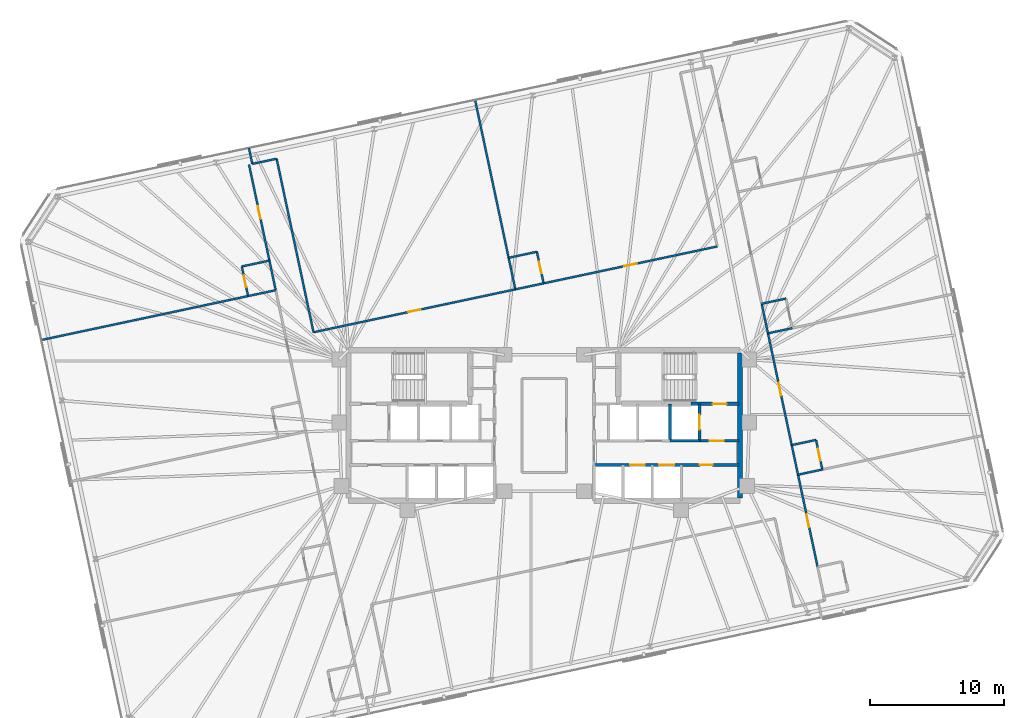
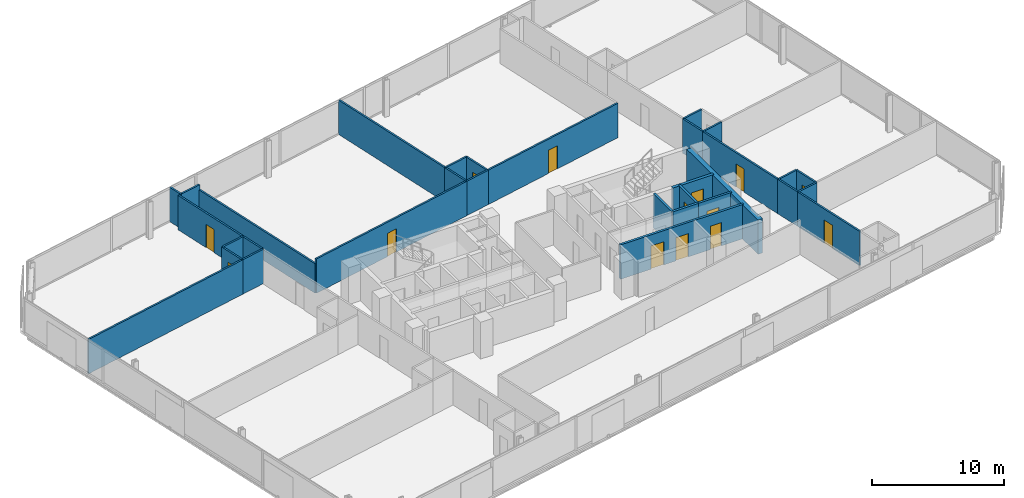
# One storey, part 16 of 19: 32 walls, 14 doors, 14 openings.
"""IFC4 building model written with IfcOpenShell, lengths in metres."""

from ifc_helpers import new_model, si_unit, direction, frame, frame_2d, origin, place, context, subcontext, project, spatial, rectangle, extrude, material, layer, layer_set, type_object, element, fill, save


model = new_model("IFC4")

# Units and contexts
model_context = context("Model", 3, precision=1e-05, world=origin(), true_north=direction((0.0, 1.0)))
body_context = subcontext(model_context, "Body", "Model", "MODEL_VIEW")
ifc_project = project(units=[si_unit("LENGTHUNIT", "METRE"), si_unit("AREAUNIT", "SQUARE_METRE"), si_unit("VOLUMEUNIT", "CUBIC_METRE"), si_unit("PLANEANGLEUNIT", "RADIAN"), si_unit("MASSUNIT", "GRAM", prefix="KILO")], contexts=[model_context])

# Site, building, storey
site_placement = place(None, origin())
site = spatial("IfcSite", under=ifc_project, at=site_placement, CompositionType="ELEMENT")
building_placement = place(site_placement, origin())
building = spatial("IfcBuilding", under=site, at=building_placement, Name="Menara Jurai Vektor", CompositionType="ELEMENT")
storey_placement = place(building_placement, frame((0.0, 0.0, 151.39990234375)))
storey = spatial("IfcBuildingStorey", under=building, at=storey_placement, Name="L38", CompositionType="ELEMENT", Elevation=151.39990234375)

# Wall, opening, door
ifc_material_1 = material(Name="Concrete C40/50", Category="concrete")
ifc_layer_1 = layer(ifc_material_1, 0.25)
ifc_layer_set_1 = layer_set([ifc_layer_1], Name="Concrete C40/50")
wall_type_1 = type_object("IfcWallType", Name="INT-WALL-CORE-250", PredefinedType="STANDARD", material=ifc_layer_set_1)
wall_1_placement = place(storey_placement, frame((10.89990234375, 1.60009765625, 0.0), z_axis=(0.0, 0.0, 1.0), x_axis=(1.0, 0.0, 0.0)))
wall_1 = element("IfcWall", 1, at=wall_1_placement, inside=storey, type_object=wall_type_1, Name="Interior Wall IW-250 L38", PredefinedType="STANDARD", context=body_context, shape_type="SweptSolid", body=[
    extrude(rectangle(XDim=3.60009765625, YDim=0.25, at=frame_2d((1.800048828125, 0.0))), origin(), (0.0, 0.0, 1.0), 3.175048828125),
])
opening_1_placement = place(wall_1_placement, frame((1.6201171875, 0.0, 0.0)))
opening_1 = element("IfcOpeningElement", 2, at=opening_1_placement, cuts=wall_1, Name="Opening D-L38-ST2", PredefinedType="OPENING", context=body_context, shape_type="SweptSolid", body=[
    extrude(rectangle(XDim=1.050048828125, YDim=2.14990234375, at=frame_2d((0.52490234375, 1.074951171875))), frame((0.0, 0.135009765625, 0.0), z_axis=(0.0, -1.0, 0.0), x_axis=(1.0, 0.0, 0.0)), (0.0, 0.0, 1.0), 0.27001953125),
])
ifc_material_2 = material(Name="Fire-Rated Steel Door", Category="steel")
door_type_1 = type_object("IfcDoorType", Name="DR-STAIR-1050", OperationType="NOTDEFINED", PredefinedType="DOOR", material=ifc_material_2)
door_1_placement = place(opening_1_placement, origin())
door_1 = element("IfcDoor", 3, at=door_1_placement, inside=storey, type_object=door_type_1, Name="Exit Stair ST2 Door L38", OperationType="SINGLE_SWING_LEFT", OverallHeight=2.14990234375, OverallWidth=1.050048828125, PredefinedType="DOOR", context=body_context, shape_type="SweptSolid", body=[
    extrude(rectangle(XDim=1.050048828125, YDim=2.14990234375, at=frame_2d((0.52490234375, 1.074951171875))), frame((0.0, 0.02490234375, 0.0), z_axis=(0.0, -1.0, 0.0), x_axis=(1.0, 0.0, 0.0)), (0.0, 0.0, 1.0), 0.050048828125),
])
fill(opening_1, door_1)

wall_2_placement = place(storey_placement, frame((11.550048828125, -1.14990234375, 0.0), z_axis=(0.0, 0.0, 1.0), x_axis=(0.0, 1.0, 0.0)))
wall_2 = element("IfcWall", 4, at=wall_2_placement, inside=storey, type_object=wall_type_1, Name="Interior Wall IW-250 L38", PredefinedType="STANDARD", context=body_context, shape_type="SweptSolid", body=[
    extrude(rectangle(XDim=2.75, YDim=0.199951171875, at=frame_2d((1.375, 0.0))), origin(), (0.0, 0.0, 1.0), 3.175048828125),
])
opening_2_placement = place(wall_2_placement, frame((0.824951171875, 0.0, 0.0)))
opening_2 = element("IfcOpeningElement", 5, at=opening_2_placement, cuts=wall_2, Name="Opening LD-L38-FL2", PredefinedType="OPENING", context=body_context, shape_type="SweptSolid", body=[
    extrude(rectangle(XDim=1.10009765625, YDim=2.14990234375, at=frame_2d((0.550048828125, 1.074951171875))), frame((0.0, 0.10986328125, 0.0), z_axis=(0.0, -1.0, 0.0), x_axis=(1.0, 0.0, 0.0)), (0.0, 0.0, 1.0), 0.219970703125),
])
ifc_material_3 = material(Name="Stainless Steel Sliding Lift Landing Door", Category="steel")
door_type_2 = type_object("IfcDoorType", Name="DR-LIFT-FIRE-1100", OperationType="NOTDEFINED", PredefinedType="DOOR", material=ifc_material_3)
door_2_placement = place(opening_2_placement, origin())
door_2 = element("IfcDoor", 6, at=door_2_placement, inside=storey, type_object=door_type_2, Name="Lift Landing Door FL2 L38", OperationType="SLIDING_TO_RIGHT", OverallHeight=2.14990234375, OverallWidth=1.10009765625, PredefinedType="DOOR", context=body_context, shape_type="SweptSolid", body=[
    extrude(rectangle(XDim=1.10009765625, YDim=2.14990234375, at=frame_2d((0.550048828125, 1.074951171875))), frame((0.0, 0.02490234375, 0.0), z_axis=(0.0, -1.0, 0.0), x_axis=(1.0, 0.0, 0.0)), (0.0, 0.0, 1.0), 0.050048828125),
])
fill(opening_2, door_2)

# Wall
wall_3_placement = place(storey_placement, frame((9.35009765625, -1.14990234375, 0.0), z_axis=(0.0, 0.0, 1.0), x_axis=(0.0, 1.0, 0.0)))
element("IfcWall", 7, at=wall_3_placement, inside=storey, type_object=wall_type_1, Name="Interior Wall IW-250 L38", PredefinedType="STANDARD", context=body_context, shape_type="SweptSolid", body=[
    extrude(rectangle(XDim=2.75, YDim=0.199951171875, at=frame_2d((1.375, 0.0))), origin(), (0.0, 0.0, 1.0), 3.175048828125),
])

# Wall, opening, door
wall_4_placement = place(storey_placement, frame((11.550048828125, -1.14990234375, 0.0), z_axis=(0.0, 0.0, 1.0), x_axis=(1.0, 0.0, 0.0)))
wall_4 = element("IfcWall", 8, at=wall_4_placement, inside=storey, type_object=wall_type_1, Name="Interior Wall IW-250 L38", PredefinedType="STANDARD", context=body_context, shape_type="SweptSolid", body=[
    extrude(rectangle(XDim=2.949951171875, YDim=0.199951171875, at=frame_2d((1.47509765625, 0.0))), origin(), (0.0, 0.0, 1.0), 3.175048828125),
])
opening_3_placement = place(wall_4_placement, frame((0.75, 0.0, 0.0)))
opening_3 = element("IfcOpeningElement", 9, at=opening_3_placement, cuts=wall_4, Name="Opening D-L38-FFE", PredefinedType="OPENING", context=body_context, shape_type="SweptSolid", body=[
    extrude(rectangle(XDim=1.050048828125, YDim=2.179931640625, at=frame_2d((0.52490234375, 1.08984375))), frame((0.0, 0.10986328125, 0.0), z_axis=(0.0, -1.0, 0.0), x_axis=(1.0, 0.0, 0.0)), (0.0, 0.0, 1.0), 0.219970703125),
])
ifc_material_4 = material(Name="Fire-Rated Timber Door", Category="wood")
door_type_3 = type_object("IfcDoorType", Name="DR-LOBBY-1050", OperationType="NOTDEFINED", PredefinedType="DOOR", material=ifc_material_4)
door_3_placement = place(opening_3_placement, origin())
door_3 = element("IfcDoor", 10, at=door_3_placement, inside=storey, type_object=door_type_3, Name="Fire Lift Lobby Door E L38", OperationType="SINGLE_SWING_LEFT", OverallHeight=2.179931640625, OverallWidth=1.050048828125, PredefinedType="DOOR", context=body_context, shape_type="SweptSolid", body=[
    extrude(rectangle(XDim=1.050048828125, YDim=2.179931640625, at=frame_2d((0.52490234375, 1.08984375))), frame((0.0, 0.02490234375, 0.0), z_axis=(0.0, -1.0, 0.0), x_axis=(1.0, 0.0, 0.0)), (0.0, 0.0, 1.0), 0.050048828125),
])
fill(opening_3, door_3)

# Walls
wall_5_placement = place(storey_placement, frame((9.35009765625, -1.14990234375, 0.0), z_axis=(0.0, 0.0, 1.0), x_axis=(1.0, 0.0, 0.0)))
element("IfcWall", 11, at=wall_5_placement, inside=storey, type_object=wall_type_1, Name="Interior Wall IW-250 L38", PredefinedType="STANDARD", context=body_context, shape_type="SweptSolid", body=[
    extrude(rectangle(XDim=2.199951171875, YDim=0.199951171875, at=frame_2d((1.10009765625, 0.0))), origin(), (0.0, 0.0, 1.0), 3.175048828125),
])
ifc_material_5 = material(Name="Gypsum Fireboard Partition", Category="gypsum")
ifc_layer_2 = layer(ifc_material_5, 0.14990234375)
ifc_layer_set_2 = layer_set([ifc_layer_2], Name="Gypsum Fireboard Partition")
wall_type_2 = type_object("IfcWallType", Name="INT-WALL-CORR-150", PredefinedType="PARTITIONING", material=ifc_layer_set_2)
wall_6_placement = place(storey_placement, frame((-21.71533203125, 19.447998046875, 0.0), z_axis=(0.0, 0.0, 1.0), x_axis=(0.978160192495, 0.207852442415, 0.0)))
element("IfcWall", 12, at=wall_6_placement, inside=storey, type_object=wall_type_2, Name="Interior Wall IW-150 L38", PredefinedType="PARTITIONING", context=body_context, shape_type="SweptSolid", body=[
    extrude(rectangle(XDim=1.849853515625, YDim=0.14990234375, at=frame_2d((0.9248046875, 0.0))), origin(), (0.0, 0.0, 1.0), 3.175048828125),
])

# Wall, opening, door
wall_7_placement = place(storey_placement, frame((-17.162353515625, 6.92578125, 0.0), z_axis=(0.0, 0.0, 1.0), x_axis=(0.978145870853, 0.207919829103, 0.0)))
wall_7 = element("IfcWall", 13, at=wall_7_placement, inside=storey, type_object=wall_type_2, Name="Interior Wall IW-150 L38", PredefinedType="PARTITIONING", context=body_context, shape_type="SweptSolid", body=[
    extrude(rectangle(XDim=15.346923828125, YDim=0.14990234375, at=frame_2d((7.67333984375, 0.0))), origin(), (0.0, 0.0, 1.0), 3.175048828125),
])
opening_4_placement = place(wall_7_placement, frame((7.21337890625, 0.0, 0.0)))
opening_4 = element("IfcOpeningElement", 14, at=opening_4_placement, cuts=wall_7, Name="Opening D38-09", PredefinedType="OPENING", context=body_context, shape_type="SweptSolid", body=[
    extrude(rectangle(XDim=0.919921875, YDim=2.14990234375, at=frame_2d((0.4599609375, 1.074951171875))), frame((0.0, 0.0849609375, 0.0), z_axis=(0.0, -1.0, 0.0), x_axis=(1.0, 0.0, 0.0)), (0.0, 0.0, 1.0), 0.169921875),
])
ifc_material_6 = material(Name="Solid Core Timber Fire Door", Category="wood")
door_type_4 = type_object("IfcDoorType", Name="DR-ENTRY-950", OperationType="NOTDEFINED", PredefinedType="DOOR", material=ifc_material_6)
door_4_placement = place(opening_4_placement, origin())
door_4 = element("IfcDoor", 15, at=door_4_placement, inside=storey, type_object=door_type_4, Name="Interior Door D38-09", OperationType="SINGLE_SWING_RIGHT", OverallHeight=2.14990234375, OverallWidth=0.919921875, PredefinedType="DOOR", context=body_context, shape_type="SweptSolid", body=[
    extrude(rectangle(XDim=0.919921875, YDim=2.14990234375, at=frame_2d((0.4599609375, 1.074951171875))), frame((0.0, 0.02490234375, 0.0), z_axis=(0.0, -1.0, 0.0), x_axis=(1.0, 0.0, 0.0)), (0.0, 0.0, 1.0), 0.050048828125),
])
fill(opening_4, door_4)

wall_8_placement = place(storey_placement, frame((-0.0478515625, 10.563720703125, 0.0), z_axis=(0.0, 0.0, 1.0), x_axis=(0.978149729453, 0.207901675731, 0.0)))
wall_8 = element("IfcWall", 16, at=wall_8_placement, inside=storey, type_object=wall_type_2, Name="Interior Wall IW-150 L38", PredefinedType="PARTITIONING", context=body_context, shape_type="SweptSolid", body=[
    extrude(rectangle(XDim=13.197998046875, YDim=0.14990234375, at=frame_2d((6.59912109375, 0.0))), origin(), (0.0, 0.0, 1.0), 3.175048828125),
])
opening_5_placement = place(wall_8_placement, frame((6.138916015625, 0.0, 0.0)))
opening_5 = element("IfcOpeningElement", 17, at=opening_5_placement, cuts=wall_8, Name="Opening D38-10", PredefinedType="OPENING", context=body_context, shape_type="SweptSolid", body=[
    extrude(rectangle(XDim=0.919921875, YDim=2.14990234375, at=frame_2d((0.4599609375, 1.074951171875))), frame((0.0, 0.0849609375, 0.0), z_axis=(0.0, -1.0, 0.0), x_axis=(1.0, 0.0, 0.0)), (0.0, 0.0, 1.0), 0.169921875),
])
door_5_placement = place(opening_5_placement, origin())
door_5 = element("IfcDoor", 18, at=door_5_placement, inside=storey, type_object=door_type_4, Name="Interior Door D38-10", OperationType="SINGLE_SWING_LEFT", OverallHeight=2.14990234375, OverallWidth=0.919921875, PredefinedType="DOOR", context=body_context, shape_type="SweptSolid", body=[
    extrude(rectangle(XDim=0.919921875, YDim=2.14990234375, at=frame_2d((0.4599609375, 1.074951171875))), frame((0.0, 0.02490234375, 0.0), z_axis=(0.0, -1.0, 0.0), x_axis=(1.0, 0.0, 0.0)), (0.0, 0.0, 1.0), 0.050048828125),
])
fill(opening_5, door_5)

# Wall
wall_9_placement = place(storey_placement, frame((-2.15087890625, 10.11669921875, 0.0), z_axis=(0.0, 0.0, 1.0), x_axis=(0.978146728319, 0.207915795165, 0.0)))
element("IfcWall", 19, at=wall_9_placement, inside=storey, type_object=wall_type_2, Name="Interior Wall IW-150 L38", PredefinedType="PARTITIONING", context=body_context, shape_type="SweptSolid", body=[
    extrude(rectangle(XDim=2.14990234375, YDim=0.14990234375, at=frame_2d((1.074951171875, 0.0))), origin(), (0.0, 0.0, 1.0), 3.175048828125),
])

# Wall, opening, door
wall_10_placement = place(storey_placement, frame((-20.442138671875, 12.25537109375, 0.0), z_axis=(0.0, 0.0, 1.0), x_axis=(-0.207916352354, 0.978146609882, 0.0)))
wall_10 = element("IfcWall", 20, at=wall_10_placement, inside=storey, type_object=wall_type_2, Name="Interior Wall IW-150 L38", PredefinedType="PARTITIONING", context=body_context, shape_type="SweptSolid", body=[
    extrude(rectangle(XDim=7.300048828125, YDim=0.14990234375, at=frame_2d((3.64990234375, 0.0))), origin(), (0.0, 0.0, 1.0), 3.175048828125),
])
opening_6_placement = place(wall_10_placement, frame((3.175048828125, 0.0, 0.0)))
opening_6 = element("IfcOpeningElement", 21, at=opening_6_placement, cuts=wall_10, Name="Opening D38-19", PredefinedType="OPENING", context=body_context, shape_type="SweptSolid", body=[
    extrude(rectangle(XDim=0.949951171875, YDim=2.14990234375, at=frame_2d((0.47509765625, 1.074951171875))), frame((0.0, 0.0849609375, 0.0), z_axis=(0.0, -1.0, 0.0), x_axis=(1.0, 0.0, 0.0)), (0.0, 0.0, 1.0), 0.169921875),
])
door_6_placement = place(opening_6_placement, origin())
door_6 = element("IfcDoor", 22, at=door_6_placement, inside=storey, type_object=door_type_4, Name="Interior Door D38-19", OperationType="SINGLE_SWING_RIGHT", OverallHeight=2.14990234375, OverallWidth=0.949951171875, PredefinedType="DOOR", context=body_context, shape_type="SweptSolid", body=[
    extrude(rectangle(XDim=0.949951171875, YDim=2.14990234375, at=frame_2d((0.47509765625, 1.074951171875))), frame((0.0, 0.02490234375, 0.0), z_axis=(0.0, -1.0, 0.0), x_axis=(1.0, 0.0, 0.0)), (0.0, 0.0, 1.0), 0.050048828125),
])
fill(opening_6, door_6)

# Wall
wall_11_placement = place(storey_placement, frame((-19.974365234375, 10.0546875, 0.0), z_axis=(0.0, 0.0, 1.0), x_axis=(-0.207913264065, 0.978147266328, 0.0)))
element("IfcWall", 23, at=wall_11_placement, inside=storey, type_object=wall_type_2, Name="Interior Wall IW-150 L38", PredefinedType="PARTITIONING", context=body_context, shape_type="SweptSolid", body=[
    extrude(rectangle(XDim=2.249755859375, YDim=0.14990234375, at=frame_2d((1.125, 0.0))), origin(), (0.0, 0.0, 1.0), 3.175048828125),
])

# Wall, opening, door
wall_12_placement = place(storey_placement, frame((20.328125, -10.515380859375, 0.0), z_axis=(0.0, 0.0, 1.0), x_axis=(-0.207906726269, 0.978148655968, 0.0)))
wall_12 = element("IfcWall", 24, at=wall_12_placement, inside=storey, type_object=wall_type_2, Name="Interior Wall IW-150 L38", PredefinedType="PARTITIONING", context=body_context, shape_type="SweptSolid", body=[
    extrude(rectangle(XDim=7.0, YDim=0.14990234375, at=frame_2d((3.5, 0.0))), origin(), (0.0, 0.0, 1.0), 3.175048828125),
])
opening_7_placement = place(wall_12_placement, frame((3.02490234375, 0.0, 0.0)))
opening_7 = element("IfcOpeningElement", 25, at=opening_7_placement, cuts=wall_12, Name="Opening D38-21", PredefinedType="OPENING", context=body_context, shape_type="SweptSolid", body=[
    extrude(rectangle(XDim=0.949951171875, YDim=2.14990234375, at=frame_2d((0.47509765625, 1.074951171875))), frame((0.0, 0.0849609375, 0.0), z_axis=(0.0, -1.0, 0.0), x_axis=(1.0, 0.0, 0.0)), (0.0, 0.0, 1.0), 0.169921875),
])
door_7_placement = place(opening_7_placement, origin())
door_7 = element("IfcDoor", 26, at=door_7_placement, inside=storey, type_object=door_type_4, Name="Interior Door D38-21", OperationType="SINGLE_SWING_RIGHT", OverallHeight=2.14990234375, OverallWidth=0.949951171875, PredefinedType="DOOR", context=body_context, shape_type="SweptSolid", body=[
    extrude(rectangle(XDim=0.949951171875, YDim=2.14990234375, at=frame_2d((0.47509765625, 1.074951171875))), frame((0.0, 0.02490234375, 0.0), z_axis=(0.0, -1.0, 0.0), x_axis=(1.0, 0.0, 0.0)), (0.0, 0.0, 1.0), 0.050048828125),
])
fill(opening_7, door_7)

wall_13_placement = place(storey_placement, frame((18.40478515625, -1.4677734375, 0.0), z_axis=(0.0, 0.0, 1.0), x_axis=(-0.207888984761, 0.97815242678, 0.0)))
wall_13 = element("IfcWall", 27, at=wall_13_placement, inside=storey, type_object=wall_type_2, Name="Interior Wall IW-150 L38", PredefinedType="PARTITIONING", context=body_context, shape_type="SweptSolid", body=[
    extrude(rectangle(XDim=8.500244140625, YDim=0.14990234375, at=frame_2d((4.25, 0.0))), origin(), (0.0, 0.0, 1.0), 3.175048828125),
])
opening_8_placement = place(wall_13_placement, frame((3.77490234375, 0.0, 0.0)))
opening_8 = element("IfcOpeningElement", 28, at=opening_8_placement, cuts=wall_13, Name="Opening D38-23", PredefinedType="OPENING", context=body_context, shape_type="SweptSolid", body=[
    extrude(rectangle(XDim=0.949951171875, YDim=2.14990234375, at=frame_2d((0.47509765625, 1.074951171875))), frame((0.0, 0.0849609375, 0.0), z_axis=(0.0, -1.0, 0.0), x_axis=(1.0, 0.0, 0.0)), (0.0, 0.0, 1.0), 0.169921875),
])
door_8_placement = place(opening_8_placement, origin())
door_8 = element("IfcDoor", 29, at=door_8_placement, inside=storey, type_object=door_type_4, Name="Interior Door D38-23", OperationType="SINGLE_SWING_RIGHT", OverallHeight=2.14990234375, OverallWidth=0.949951171875, PredefinedType="DOOR", context=body_context, shape_type="SweptSolid", body=[
    extrude(rectangle(XDim=0.949951171875, YDim=2.14990234375, at=frame_2d((0.47509765625, 1.074951171875))), frame((0.0, 0.02490234375, 0.0), z_axis=(0.0, -1.0, 0.0), x_axis=(1.0, 0.0, 0.0)), (0.0, 0.0, 1.0), 0.050048828125),
])
fill(opening_8, door_8)

# Walls
wall_14_placement = place(storey_placement, frame((18.872802734375, -3.66845703125, 0.0), z_axis=(0.0, 0.0, 1.0), x_axis=(-0.208017083936, 0.9781251928, 0.0)))
element("IfcWall", 30, at=wall_14_placement, inside=storey, type_object=wall_type_2, Name="Interior Wall IW-150 L38", PredefinedType="PARTITIONING", context=body_context, shape_type="SweptSolid", body=[
    extrude(rectangle(XDim=2.25, YDim=0.14990234375, at=frame_2d((1.125, 0.0))), origin(), (0.0, 0.0, 1.0), 3.175048828125),
])
wall_15_placement = place(storey_placement, frame((16.6376953125, 6.8466796875, 0.0), z_axis=(0.0, 0.0, 1.0), x_axis=(-0.207913264065, 0.978147266328, 0.0)))
element("IfcWall", 31, at=wall_15_placement, inside=storey, type_object=wall_type_2, Name="Interior Wall IW-150 L38", PredefinedType="PARTITIONING", context=body_context, shape_type="SweptSolid", body=[
    extrude(rectangle(XDim=2.249755859375, YDim=0.14990234375, at=frame_2d((1.125, 0.0))), origin(), (0.0, 0.0, 1.0), 3.175048828125),
])
wall_16_placement = place(storey_placement, frame((-2.64990234375, 12.46435546875, 0.0), z_axis=(0.0, 0.0, 1.0), x_axis=(-0.207914988081, 0.978146899873, 0.0)))
element("IfcWall", 32, at=wall_16_placement, inside=storey, type_object=wall_type_2, Name="Interior Wall IW-150 L38", PredefinedType="PARTITIONING", context=body_context, shape_type="SweptSolid", body=[
    extrude(rectangle(XDim=11.994873046875, YDim=0.14990234375, at=frame_2d((5.99755859375, 0.0))), origin(), (0.0, 0.0, 1.0), 3.175048828125),
])
wall_17_placement = place(storey_placement, frame((-2.15087890625, 10.11669921875, 0.0), z_axis=(0.0, 0.0, 1.0), x_axis=(-0.207917150959, 0.978146440129, 0.0)))
element("IfcWall", 33, at=wall_17_placement, inside=storey, type_object=wall_type_2, Name="Interior Wall IW-150 L38", PredefinedType="PARTITIONING", context=body_context, shape_type="SweptSolid", body=[
    extrude(rectangle(XDim=2.400146484375, YDim=0.14990234375, at=frame_2d((1.2001953125, 0.0))), origin(), (0.0, 0.0, 1.0), 3.175048828125),
])
wall_18_placement = place(storey_placement, frame((-21.71533203125, 19.447998046875, 0.0), z_axis=(0.0, 0.0, 1.0), x_axis=(-0.20795853359, 0.978137642823, 0.0)))
element("IfcWall", 34, at=wall_18_placement, inside=storey, type_object=wall_type_2, Name="Interior Wall IW-150 L38", PredefinedType="PARTITIONING", context=body_context, shape_type="SweptSolid", body=[
    extrude(rectangle(XDim=1.19970703125, YDim=0.14990234375, at=frame_2d((0.599853515625, 0.0))), origin(), (0.0, 0.0, 1.0), 3.175048828125),
])
wall_19_placement = place(storey_placement, frame((-2.64990234375, 12.46435546875, 0.0), z_axis=(0.0, 0.0, 1.0), x_axis=(0.978146728319, 0.207915795165, 0.0)))
element("IfcWall", 35, at=wall_19_placement, inside=storey, type_object=wall_type_2, Name="Interior Wall IW-150 L38", PredefinedType="PARTITIONING", context=body_context, shape_type="SweptSolid", body=[
    extrude(rectangle(XDim=2.14990234375, YDim=0.14990234375, at=frame_2d((1.074951171875, 0.0))), origin(), (0.0, 0.0, 1.0), 3.175048828125),
])

# Wall, opening, door
wall_20_placement = place(storey_placement, frame((-0.0478515625, 10.563720703125, 0.0), z_axis=(0.0, 0.0, 1.0), x_axis=(-0.207917150959, 0.978146440129, 0.0)))
wall_20 = element("IfcWall", 36, at=wall_20_placement, inside=storey, type_object=wall_type_2, Name="Interior Wall IW-150 L38", PredefinedType="PARTITIONING", context=body_context, shape_type="SweptSolid", body=[
    extrude(rectangle(XDim=2.400146484375, YDim=0.14990234375, at=frame_2d((1.2001953125, 0.0))), origin(), (0.0, 0.0, 1.0), 3.175048828125),
])
opening_9_placement = place(wall_20_placement, frame((0.760009765625, 0.0, 0.0)))
opening_9 = element("IfcOpeningElement", 37, at=opening_9_placement, cuts=wall_20, Name="Opening D38-11", PredefinedType="OPENING", context=body_context, shape_type="SweptSolid", body=[
    extrude(rectangle(XDim=0.8798828125, YDim=2.14990234375, at=frame_2d((0.43994140625, 1.074951171875))), frame((0.0, 0.0849609375, 0.0), z_axis=(0.0, -1.0, 0.0), x_axis=(1.0, 0.0, 0.0)), (0.0, 0.0, 1.0), 0.169921875),
])
ifc_material_7 = material(Name="Moisture-Resistant Timber Door", Category="wood")
door_type_5 = type_object("IfcDoorType", Name="DR-BATH-880", OperationType="NOTDEFINED", PredefinedType="DOOR", material=ifc_material_7)
door_9_placement = place(opening_9_placement, origin())
door_9 = element("IfcDoor", 38, at=door_9_placement, inside=storey, type_object=door_type_5, Name="Interior Door D38-11", OperationType="SINGLE_SWING_RIGHT", OverallHeight=2.14990234375, OverallWidth=0.8798828125, PredefinedType="DOOR", context=body_context, shape_type="SweptSolid", body=[
    extrude(rectangle(XDim=0.8798828125, YDim=2.14990234375, at=frame_2d((0.43994140625, 1.074951171875))), frame((0.0, 0.02490234375, 0.0), z_axis=(0.0, -1.0, 0.0), x_axis=(1.0, 0.0, 0.0)), (0.0, 0.0, 1.0), 0.050048828125),
])
fill(opening_9, door_9)

# Walls
wall_21_placement = place(storey_placement, frame((-37.403076171875, 6.35009765625, 0.0), z_axis=(0.0, 0.0, 1.0), x_axis=(0.978149296727, 0.207903711638, 0.0)))
element("IfcWall", 39, at=wall_21_placement, inside=storey, type_object=wall_type_2, Name="Interior Wall IW-150 L38", PredefinedType="PARTITIONING", context=body_context, shape_type="SweptSolid", body=[
    extrude(rectangle(XDim=15.718017578125, YDim=0.14990234375, at=frame_2d((7.85888671875, 0.0))), origin(), (0.0, 0.0, 1.0), 3.175048828125),
])
wall_22_placement = place(storey_placement, frame((-22.028564453125, 9.617919921875, 0.0), z_axis=(0.0, 0.0, 1.0), x_axis=(0.978134617382, 0.207972763311, 0.0)))
element("IfcWall", 40, at=wall_22_placement, inside=storey, type_object=wall_type_2, Name="Interior Wall IW-150 L38", PredefinedType="PARTITIONING", context=body_context, shape_type="SweptSolid", body=[
    extrude(rectangle(XDim=2.10009765625, YDim=0.14990234375, at=frame_2d((1.050048828125, 0.0))), origin(), (0.0, 0.0, 1.0), 3.175048828125),
])

# Wall, opening, door
wall_23_placement = place(storey_placement, frame((-22.028564453125, 9.617919921875, 0.0), z_axis=(0.0, 0.0, 1.0), x_axis=(-0.207891197838, 0.978151956427, 0.0)))
wall_23 = element("IfcWall", 41, at=wall_23_placement, inside=storey, type_object=wall_type_2, Name="Interior Wall IW-150 L38", PredefinedType="PARTITIONING", context=body_context, shape_type="SweptSolid", body=[
    extrude(rectangle(XDim=2.25, YDim=0.14990234375, at=frame_2d((1.125, 0.0))), origin(), (0.0, 0.0, 1.0), 3.175048828125),
])
opening_10_placement = place(wall_23_placement, frame((0.68505859375, 0.0, 0.0)))
opening_10 = element("IfcOpeningElement", 42, at=opening_10_placement, cuts=wall_23, Name="Opening D38-20", PredefinedType="OPENING", context=body_context, shape_type="SweptSolid", body=[
    extrude(rectangle(XDim=0.8798828125, YDim=2.14990234375, at=frame_2d((0.43994140625, 1.074951171875))), frame((0.0, 0.0849609375, 0.0), z_axis=(0.0, -1.0, 0.0), x_axis=(1.0, 0.0, 0.0)), (0.0, 0.0, 1.0), 0.169921875),
])
door_10_placement = place(opening_10_placement, origin())
door_10 = element("IfcDoor", 43, at=door_10_placement, inside=storey, type_object=door_type_5, Name="Interior Door D38-20", OperationType="SINGLE_SWING_LEFT", OverallHeight=2.14990234375, OverallWidth=0.8798828125, PredefinedType="DOOR", context=body_context, shape_type="SweptSolid", body=[
    extrude(rectangle(XDim=0.8798828125, YDim=2.14990234375, at=frame_2d((0.43994140625, 1.074951171875))), frame((0.0, 0.02490234375, 0.0), z_axis=(0.0, -1.0, 0.0), x_axis=(1.0, 0.0, 0.0)), (0.0, 0.0, 1.0), 0.050048828125),
])
fill(opening_10, door_10)

# Walls
wall_24_placement = place(storey_placement, frame((-22.496337890625, 11.81884765625, 0.0), z_axis=(0.0, 0.0, 1.0), x_axis=(0.97815826, 0.207861536591, 0.0)))
element("IfcWall", 44, at=wall_24_placement, inside=storey, type_object=wall_type_2, Name="Interior Wall IW-150 L38", PredefinedType="PARTITIONING", context=body_context, shape_type="SweptSolid", body=[
    extrude(rectangle(XDim=2.10009765625, YDim=0.14990234375, at=frame_2d((1.050048828125, 0.0))), origin(), (0.0, 0.0, 1.0), 3.175048828125),
])
wall_25_placement = place(storey_placement, frame((18.872802734375, -3.66845703125, 0.0), z_axis=(0.0, 0.0, 1.0), x_axis=(0.978160192495, 0.207852442415, 0.0)))
element("IfcWall", 45, at=wall_25_placement, inside=storey, type_object=wall_type_2, Name="Interior Wall IW-150 L38", PredefinedType="PARTITIONING", context=body_context, shape_type="SweptSolid", body=[
    extrude(rectangle(XDim=1.849853515625, YDim=0.14990234375, at=frame_2d((0.9248046875, 0.0))), origin(), (0.0, 0.0, 1.0), 3.175048828125),
])
wall_26_placement = place(storey_placement, frame((18.40478515625, -1.4677734375, 0.0), z_axis=(0.0, 0.0, 1.0), x_axis=(0.978139061018, 0.207951862966, 0.0)))
element("IfcWall", 46, at=wall_26_placement, inside=storey, type_object=wall_type_2, Name="Interior Wall IW-150 L38", PredefinedType="PARTITIONING", context=body_context, shape_type="SweptSolid", body=[
    extrude(rectangle(XDim=1.850341796875, YDim=0.14990234375, at=frame_2d((0.92529296875, 0.0))), origin(), (0.0, 0.0, 1.0), 3.175048828125),
])

# Wall, opening, door
wall_27_placement = place(storey_placement, frame((20.682373046875, -3.283935546875, 0.0), z_axis=(0.0, 0.0, 1.0), x_axis=(-0.207891197838, 0.978151956427, 0.0)))
wall_27 = element("IfcWall", 47, at=wall_27_placement, inside=storey, type_object=wall_type_2, Name="Interior Wall IW-150 L38", PredefinedType="PARTITIONING", context=body_context, shape_type="SweptSolid", body=[
    extrude(rectangle(XDim=2.25, YDim=0.14990234375, at=frame_2d((1.125, 0.0))), origin(), (0.0, 0.0, 1.0), 3.175048828125),
])
opening_11_placement = place(wall_27_placement, frame((0.68505859375, 0.0, 0.0)))
opening_11 = element("IfcOpeningElement", 48, at=opening_11_placement, cuts=wall_27, Name="Opening D38-24", PredefinedType="OPENING", context=body_context, shape_type="SweptSolid", body=[
    extrude(rectangle(XDim=0.8798828125, YDim=2.14990234375, at=frame_2d((0.43994140625, 1.074951171875))), frame((0.0, 0.0849609375, 0.0), z_axis=(0.0, -1.0, 0.0), x_axis=(1.0, 0.0, 0.0)), (0.0, 0.0, 1.0), 0.169921875),
])
door_11_placement = place(opening_11_placement, origin())
door_11 = element("IfcDoor", 49, at=door_11_placement, inside=storey, type_object=door_type_5, Name="Interior Door D38-24", OperationType="SINGLE_SWING_LEFT", OverallHeight=2.14990234375, OverallWidth=0.8798828125, PredefinedType="DOOR", context=body_context, shape_type="SweptSolid", body=[
    extrude(rectangle(XDim=0.8798828125, YDim=2.14990234375, at=frame_2d((0.43994140625, 1.074951171875))), frame((0.0, 0.02490234375, 0.0), z_axis=(0.0, -1.0, 0.0), x_axis=(1.0, 0.0, 0.0)), (0.0, 0.0, 1.0), 0.050048828125),
])
fill(opening_11, door_11)

# Walls
wall_28_placement = place(storey_placement, frame((16.6376953125, 6.8466796875, 0.0), z_axis=(0.0, 0.0, 1.0), x_axis=(0.978160192495, 0.207852442415, 0.0)))
element("IfcWall", 50, at=wall_28_placement, inside=storey, type_object=wall_type_2, Name="Interior Wall IW-150 L38", PredefinedType="PARTITIONING", context=body_context, shape_type="SweptSolid", body=[
    extrude(rectangle(XDim=1.849853515625, YDim=0.14990234375, at=frame_2d((0.9248046875, 0.0))), origin(), (0.0, 0.0, 1.0), 3.175048828125),
])
wall_29_placement = place(storey_placement, frame((16.169921875, 9.04736328125, 0.0), z_axis=(0.0, 0.0, 1.0), x_axis=(0.978133353907, 0.20797870558, 0.0)))
element("IfcWall", 51, at=wall_29_placement, inside=storey, type_object=wall_type_2, Name="Interior Wall IW-150 L38", PredefinedType="PARTITIONING", context=body_context, shape_type="SweptSolid", body=[
    extrude(rectangle(XDim=1.85009765625, YDim=0.14990234375, at=frame_2d((0.925048828125, 0.0))), origin(), (0.0, 0.0, 1.0), 3.175048828125),
])
ifc_layer_3 = layer(ifc_material_5, 0.14990234375)
ifc_layer_set_3 = layer_set([ifc_layer_3], Name="Gypsum Fireboard Partition")
wall_type_3 = type_object("IfcWallType", Name="INT-WALL-CORR-150-H1", PredefinedType="PARTITIONING", material=ifc_layer_set_3)
wall_30_placement = place(storey_placement, frame((-17.162353515625, 6.92578125, 0.0), z_axis=(0.0, 0.0, 1.0), x_axis=(-0.207911421929, 0.978147657888, 0.0)))
element("IfcWall", 52, at=wall_30_placement, inside=storey, type_object=wall_type_3, Name="Interior Wall IW-150 L38", PredefinedType="PARTITIONING", context=body_context, shape_type="SweptSolid", body=[
    extrude(rectangle(XDim=13.195068359375, YDim=0.14990234375, at=frame_2d((6.59765625, 0.0))), origin(), (0.0, 0.0, 1.0), 2.72509765625),
])

# Wall, openings, doors
ifc_layer_4 = layer(ifc_material_1, 0.199951171875)
ifc_layer_set_4 = layer_set([ifc_layer_4], Name="Concrete C40/50")
wall_type_4 = type_object("IfcWallType", Name="INT-WALL-SHAFT-200", PredefinedType="STANDARD", material=ifc_layer_set_4)
wall_31_placement = place(storey_placement, frame((3.699951171875, -2.949951171875, 0.0), z_axis=(0.0, 0.0, 1.0), x_axis=(1.0, 0.0, 0.0)))
wall_31 = element("IfcWall", 53, at=wall_31_placement, inside=storey, type_object=wall_type_4, Name="Interior Wall IW-200 L38", PredefinedType="STANDARD", context=body_context, shape_type="SweptSolid", body=[
    extrude(rectangle(XDim=10.800048828125, YDim=0.199951171875, at=frame_2d((5.39990234375, 0.0))), origin(), (0.0, 0.0, 1.0), 3.175048828125),
])
opening_12_placement = place(wall_31_placement, frame((2.68994140625, 0.0, 0.0)))
opening_12 = element("IfcOpeningElement", 54, at=opening_12_placement, cuts=wall_31, Name="Opening LD-L38-PM3", PredefinedType="OPENING", context=body_context, shape_type="SweptSolid", body=[
    extrude(rectangle(XDim=1.10009765625, YDim=2.14990234375, at=frame_2d((0.550048828125, 1.074951171875))), frame((0.0, 0.10986328125, 0.0), z_axis=(0.0, -1.0, 0.0), x_axis=(1.0, 0.0, 0.0)), (0.0, 0.0, 1.0), 0.219970703125),
])
opening_13_placement = place(wall_31_placement, frame((4.85009765625, 0.0, 0.0)))
opening_13 = element("IfcOpeningElement", 55, at=opening_13_placement, cuts=wall_31, Name="Opening LD-L38-PM4", PredefinedType="OPENING", context=body_context, shape_type="SweptSolid", body=[
    extrude(rectangle(XDim=1.10009765625, YDim=2.14990234375, at=frame_2d((0.550048828125, 1.074951171875))), frame((0.0, 0.10986328125, 0.0), z_axis=(0.0, -1.0, 0.0), x_axis=(1.0, 0.0, 0.0)), (0.0, 0.0, 1.0), 0.219970703125),
])
opening_14_placement = place(wall_31_placement, frame((7.8798828125, 0.0, 0.0)))
opening_14 = element("IfcOpeningElement", 56, at=opening_14_placement, cuts=wall_31, Name="Opening D38-05", PredefinedType="OPENING", context=body_context, shape_type="SweptSolid", body=[
    extrude(rectangle(XDim=0.949951171875, YDim=2.14990234375, at=frame_2d((0.47509765625, 1.074951171875))), frame((0.0, 0.10986328125, 0.0), z_axis=(0.0, -1.0, 0.0), x_axis=(1.0, 0.0, 0.0)), (0.0, 0.0, 1.0), 0.219970703125),
])
door_12_placement = place(opening_14_placement, origin())
door_12 = element("IfcDoor", 57, at=door_12_placement, inside=storey, type_object=door_type_4, Name="Interior Door D38-05", OperationType="SINGLE_SWING_LEFT", OverallHeight=2.14990234375, OverallWidth=0.949951171875, PredefinedType="DOOR", context=body_context, shape_type="SweptSolid", body=[
    extrude(rectangle(XDim=0.949951171875, YDim=2.14990234375, at=frame_2d((0.47509765625, 1.074951171875))), frame((0.0, 0.02490234375, 0.0), z_axis=(0.0, -1.0, 0.0), x_axis=(1.0, 0.0, 0.0)), (0.0, 0.0, 1.0), 0.050048828125),
])
fill(opening_14, door_12)
ifc_material_8 = material(Name="Anodised Stainless Sliding Lift Landing Door", Category="steel")
door_type_6 = type_object("IfcDoorType", Name="DR-LIFT-PASS-1100", OperationType="NOTDEFINED", PredefinedType="DOOR", material=ifc_material_8)
door_13_placement = place(opening_12_placement, origin())
door_13 = element("IfcDoor", 58, at=door_13_placement, inside=storey, type_object=door_type_6, Name="Lift Landing Door PM3 L38", OperationType="SLIDING_TO_LEFT", OverallHeight=2.14990234375, OverallWidth=1.10009765625, PredefinedType="DOOR", context=body_context, shape_type="SweptSolid", body=[
    extrude(rectangle(XDim=1.10009765625, YDim=2.14990234375, at=frame_2d((0.550048828125, 1.074951171875))), frame((0.0, 0.02490234375, 0.0), z_axis=(0.0, -1.0, 0.0), x_axis=(1.0, 0.0, 0.0)), (0.0, 0.0, 1.0), 0.050048828125),
])
fill(opening_12, door_13)
door_14_placement = place(opening_13_placement, origin())
door_14 = element("IfcDoor", 59, at=door_14_placement, inside=storey, type_object=door_type_6, Name="Lift Landing Door PM4 L38", OperationType="SLIDING_TO_RIGHT", OverallHeight=2.14990234375, OverallWidth=1.10009765625, PredefinedType="DOOR", context=body_context, shape_type="SweptSolid", body=[
    extrude(rectangle(XDim=1.10009765625, YDim=2.14990234375, at=frame_2d((0.550048828125, 1.074951171875))), frame((0.0, 0.02490234375, 0.0), z_axis=(0.0, -1.0, 0.0), x_axis=(1.0, 0.0, 0.0)), (0.0, 0.0, 1.0), 0.050048828125),
])
fill(opening_13, door_14)

# Wall
ifc_material_9 = material(Name="Concrete C50/60", Category="concrete")
ifc_layer_5 = layer(ifc_material_9, 0.39990234375)
ifc_layer_set_5 = layer_set([ifc_layer_5], Name="Concrete C50/60")
wall_type_5 = type_object("IfcWallType", Name="STR-WALL-CORE400", PredefinedType="SHEAR", material=ifc_layer_set_5)
wall_32_placement = place(storey_placement, frame((14.56005859375, -5.39990234375, 0.0), z_axis=(0.0, 0.0, 1.0), x_axis=(0.0, 1.0, 0.0)))
element("IfcWall", 60, at=wall_32_placement, inside=storey, type_object=wall_type_5, Name="Core Shear Wall CW-E-E L38", PredefinedType="SHEAR", context=body_context, shape_type="SweptSolid", body=[
    extrude(rectangle(XDim=10.7998046875, YDim=0.39990234375, at=frame_2d((5.39990234375, 0.0))), origin(), (0.0, 0.0, 1.0), 3.175048828125),
])

save(model, "model.ifc")
